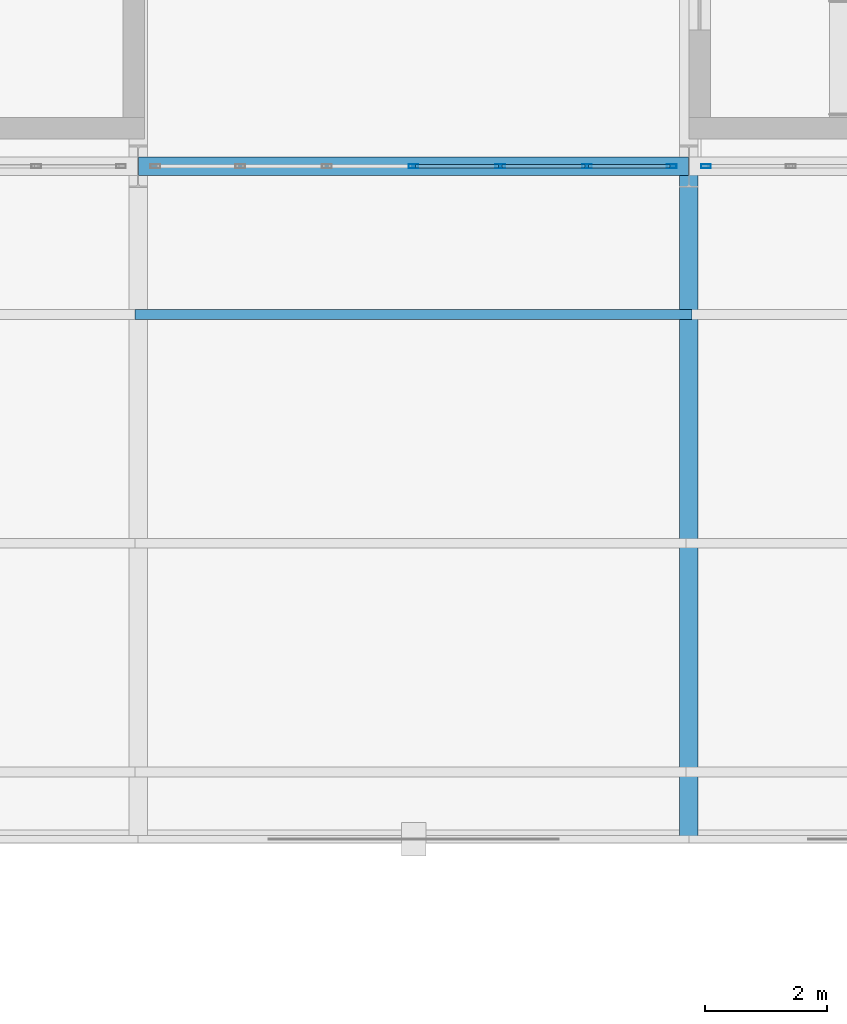
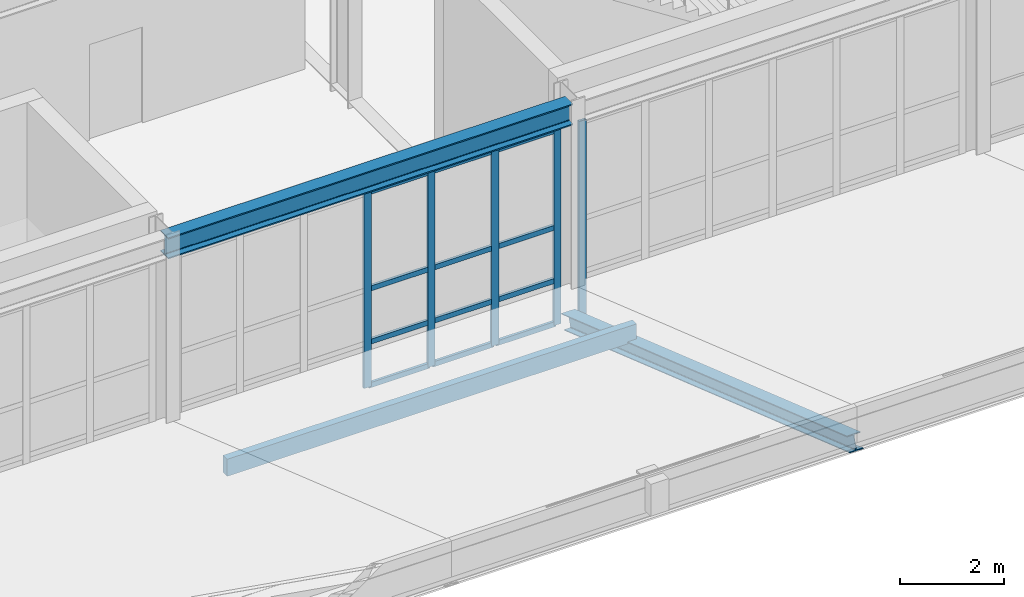
# One storey, part 57 of 239: 19 members, 1 beam, 2 elements without a shape of their own.
"""IFC4 building model written with IfcOpenShell, lengths in metres."""

import ifcopenshell
import ifcopenshell.guid

model = None  # the IFC model being written
_history = None  # IfcOwnerHistory: only IFC2X3 demands one
_inside = {}  # id of a spatial element -> (the spatial element, [elements in it])
_under = {}  # id of a project, library or spatial element -> (it, [spatial elements below it])
_declared = {}  # id of a project -> (the project, [libraries it declares])
_typed = {}  # id of a type object -> (the type object, [elements of that type])
_made_of = {}  # id of a material, layer set ... -> (it, [elements and type objects made of it])


def new_model(schema):
    """Start an empty IFC model of exactly this schema.

    Asked for "IFC4X3", IfcOpenShell would pick the latest addendum, in which some entities
    have other attributes; the version numbers below select the first issue.
    IFC2X3 requires an IfcOwnerHistory on every rooted entity: one is made here for all.
    """
    global model, _history
    if schema == "IFC4X3":
        model = ifcopenshell.file(schema_version=(4, 3, 0, 0))
    else:
        model = ifcopenshell.file(schema=schema)
    _inside.clear()
    _under.clear()
    _declared.clear()
    _typed.clear()
    _made_of.clear()
    _history = None
    if model.schema == "IFC2X3":
        org = make("IfcOrganization", Name="unknown")
        user = make(
            "IfcPersonAndOrganization",
            ThePerson=make("IfcPerson", FamilyName="unknown"),
            TheOrganization=org,
        )
        app = make(
            "IfcApplication",
            ApplicationDeveloper=org,
            Version="unknown",
            ApplicationFullName="unknown",
            ApplicationIdentifier="unknown",
        )
        _history = make(
            "IfcOwnerHistory",
            OwningUser=user,
            OwningApplication=app,
            ChangeAction="ADDED",
            CreationDate=0,
        )
    return model


def make(cls, **values):
    """One entity of the class cls with the attributes given. An attribute that is None is left unset."""
    return model.create_entity(
        cls, **{name: value for name, value in values.items() if value is not None}
    )


def rooted(cls, **values):
    """An entity with a GlobalId (a new one), such as an element, a storey or a relation."""
    return make(cls, GlobalId=ifcopenshell.guid.new(), OwnerHistory=_history, **values)


def si_unit(unit_type, name, prefix=None):
    """IfcSIUnit, for example si_unit("LENGTHUNIT", "METRE", prefix="MILLI")."""
    return make("IfcSIUnit", UnitType=unit_type, Prefix=prefix, Name=name)


def assignment(units):
    """IfcUnitAssignment: the units of a project."""
    return None if units is None else make("IfcUnitAssignment", Units=units)


def point(xyz):
    """IfcCartesianPoint."""
    return None if xyz is None else make("IfcCartesianPoint", Coordinates=xyz)


def direction(xyz):
    """IfcDirection."""
    return None if xyz is None else make("IfcDirection", DirectionRatios=xyz)


def frame(location, z_axis=None, x_axis=None):
    """IfcAxis2Placement3D, a coordinate frame: its origin and axes. An axis left out is left unset."""
    return make(
        "IfcAxis2Placement3D",
        Location=point(location),
        Axis=direction(z_axis),
        RefDirection=direction(x_axis),
    )


def frame_2d(location, x_axis=None):
    """IfcAxis2Placement2D, a coordinate frame in the plane: its origin and x axis."""
    return make(
        "IfcAxis2Placement2D", Location=point(location), RefDirection=direction(x_axis)
    )


def origin():
    """The frame at (0, 0, 0) with its axes left unset."""
    return frame((0.0, 0.0, 0.0))


def origin_2d():
    """The frame at (0, 0) in the plane with its x axis left unset."""
    return frame_2d((0.0, 0.0))


def place(relative_to, where):
    """IfcLocalPlacement: puts the frame where relative to a parent placement (None: the world)."""
    return make(
        "IfcLocalPlacement", PlacementRelTo=relative_to, RelativePlacement=where
    )


def context(
    kind, dimensions, precision=None, world=None, true_north=None, identifier=None
):
    """IfcGeometricRepresentationContext, for example the 3D "Model" context."""
    return make(
        "IfcGeometricRepresentationContext",
        ContextIdentifier=identifier,
        ContextType=kind,
        CoordinateSpaceDimension=dimensions,
        Precision=precision,
        WorldCoordinateSystem=world,
        TrueNorth=true_north,
    )


def subcontext(parent, identifier, kind, view, scale=None):
    """IfcGeometricRepresentationSubContext, for example "Body" below "Model"."""
    return make(
        "IfcGeometricRepresentationSubContext",
        ContextIdentifier=identifier,
        ContextType=kind,
        ParentContext=parent,
        TargetScale=scale,
        TargetView=view,
    )


def project(units=None, contexts=None):
    """IfcProject with its units and contexts."""
    return rooted(
        "IfcProject",
        Name="project",
        RepresentationContexts=contexts,
        UnitsInContext=assignment(units),
    )


def spatial(cls, under=None, at=None, **own):
    """A site, building, storey or space (cls), placed at a placement, below another one or the project."""
    s = rooted(cls, ObjectPlacement=at, **own)
    if under is not None:
        _under.setdefault(under.id(), (under, []))[1].append(s)
    return s


def profile(cls, at=None, kind="AREA", **sizes):
    """A parametric profile (cls). Its sizes go by their IFC names, for example OverallWidth=200.0."""
    return make(cls, ProfileType=kind, Position=at, **sizes)


def rectangle(**sizes):
    """IfcRectangleProfileDef."""
    return profile("IfcRectangleProfileDef", **sizes)


def hollow_rectangle(**sizes):
    """IfcRectangleHollowProfileDef."""
    return profile("IfcRectangleHollowProfileDef", **sizes)


def i_section(**sizes):
    """IfcIShapeProfileDef."""
    return profile("IfcIShapeProfileDef", **sizes)


def extrude(swept, where, along, depth):
    """IfcExtrudedAreaSolid: the profile swept, set in the frame where, extruded along a direction by depth."""
    return make(
        "IfcExtrudedAreaSolid",
        SweptArea=swept,
        Position=where,
        ExtrudedDirection=direction(along),
        Depth=depth,
    )


def shape(context_of_items, identifier, shape_type, items):
    """IfcShapeRepresentation: the items that make up one representation, for example the "Body"."""
    return make(
        "IfcShapeRepresentation",
        ContextOfItems=context_of_items,
        RepresentationIdentifier=identifier,
        RepresentationType=shape_type,
        Items=items,
    )


def material(Name=None, Category=None):
    """IfcMaterial."""
    return make("IfcMaterial", Name=Name, Category=Category)


def material_profile(
    of_material, cross_section, Name=None, Category=None, Priority=None
):
    """IfcMaterialProfile: a cross section and its material."""
    return make(
        "IfcMaterialProfile",
        Name=Name,
        Material=of_material,
        Profile=cross_section,
        Priority=Priority,
        Category=Category,
    )


def profile_set(profiles, Name=None, composite=None):
    """IfcMaterialProfileSet."""
    return make(
        "IfcMaterialProfileSet",
        Name=Name,
        MaterialProfiles=profiles,
        CompositeProfile=composite,
    )


def made_of(thing, what):
    """Note that an element or type object is made of a material, layer set ...; save() writes the relation."""
    if what is not None:
        _made_of.setdefault(what.id(), (what, []))[1].append(thing)
    return thing


def type_object(cls, material=None, **own):
    """A type object (cls), such as IfcWallType, which elements share."""
    return made_of(rooted(cls, **own), material)


def element(
    cls,
    number,
    at=None,
    inside=None,
    cuts=None,
    type_object=None,
    material=None,
    context=None,
    identifier="Body",
    shape_type=None,
    held_by="IfcProductDefinitionShape",
    body=None,
    shapes=None,
    **own,
):
    """One element of the class cls, such as IfcWall. Its Tag is "e" and its number.

    at: its placement. inside: the storey or other place that contains it. cuts: it is an
    opening in that element (IfcRelVoidsElement). A single representation is given by context,
    identifier, shape_type and body (its items); several are given by shapes. held_by: the class
    of the entity that holds the representations. save() writes the other relations.
    """
    e = rooted(cls, Tag="e%d" % number, ObjectPlacement=at, **own)
    if body is not None:
        shapes = [shape(context, identifier, shape_type, body)]
    if shapes is not None:
        e.Representation = make(held_by, Representations=shapes)
    if inside is not None:
        _inside.setdefault(inside.id(), (inside, []))[1].append(e)
    if cuts is not None:
        rooted(
            "IfcRelVoidsElement", RelatingBuildingElement=cuts, RelatedOpeningElement=e
        )
    if type_object is not None:
        _typed.setdefault(type_object.id(), (type_object, []))[1].append(e)
    return made_of(e, material)


def aggregate(whole, parts):
    """IfcRelAggregates: a whole, such as a stair, and the parts it consists of."""
    return rooted("IfcRelAggregates", RelatingObject=whole, RelatedObjects=parts)


def save(model, path):
    """Write the relations noted so far, then the file.

    IfcRelAggregates (storeys below a building ...), IfcRelContainedInSpatialStructure (elements
    in a storey), IfcRelDefinesByType, IfcRelAssociatesMaterial and IfcRelDeclares: one each for
    every whole, place, type object, material and project.
    """
    for whole, parts in _under.values():
        aggregate(whole, parts)
    for where, things in _inside.values():
        rooted(
            "IfcRelContainedInSpatialStructure",
            RelatedElements=things,
            RelatingStructure=where,
        )
    for kind, things in _typed.values():
        rooted("IfcRelDefinesByType", RelatedObjects=things, RelatingType=kind)
    for what, things in _made_of.values():
        rooted("IfcRelAssociatesMaterial", RelatedObjects=things, RelatingMaterial=what)
    for by, libraries in _declared.values():
        rooted("IfcRelDeclares", RelatingContext=by, RelatedDefinitions=libraries)
    model.write(path)


model = new_model("IFC4")

# Units and contexts
model_context = context("Model", 3, precision=1e-05, world=origin(), true_north=direction((0.0, 1.0)))
body_context = subcontext(model_context, "Body", "Model", "MODEL_VIEW")
ifc_project = project(units=[si_unit("LENGTHUNIT", "METRE"), si_unit("AREAUNIT", "SQUARE_METRE"), si_unit("VOLUMEUNIT", "CUBIC_METRE"), si_unit("PLANEANGLEUNIT", "RADIAN"), si_unit("MASSUNIT", "GRAM", prefix="KILO")], contexts=[model_context])

# Site, building, storey
site_placement = place(None, origin())
site = spatial("IfcSite", under=ifc_project, at=site_placement, CompositionType="ELEMENT")
building_placement = place(site_placement, origin())
building = spatial("IfcBuilding", under=site, at=building_placement, Name="Kaldris Quays Convention Centre", CompositionType="ELEMENT")
storey_placement = place(building_placement, frame((0.0, 0.0, 11.39990234375)))
storey = spatial("IfcBuildingStorey", under=building, at=storey_placement, Name="L02", CompositionType="ELEMENT", Elevation=11.39990234375)

# Curtain wall, members
ifc_material_1 = material(Name="Anodized aluminium AW-6060 and triple glazing", Category="aluminium")
curtain_wall_type = type_object("IfcCurtainWallType", Name="UNITISED CURTAIN WALL CW04", PredefinedType="NOTDEFINED", material=ifc_material_1)
curtain_wall_1_placement = place(storey_placement, origin())
curtain_wall_1 = element("IfcCurtainWall", 1, at=curtain_wall_1_placement, inside=storey, type_object=curtain_wall_type, Name="L02 Unitised Curtain Wall CW04 118", PredefinedType="NOTDEFINED")
ifc_material_2 = material(Name="Anodized aluminium AW-6060", Category="aluminium")
ifc_material_profile_1 = material_profile(ifc_material_2, hollow_rectangle(XDim=0.06005859375, YDim=0.159912109375, WallThickness=0.00390625, at=origin_2d()), Name="RHS 160x60x4")
ifc_profile_set_1 = profile_set([ifc_material_profile_1], Name="Anodized aluminium AW-6060")
member_type_1 = type_object("IfcMemberType", Name="CURTAIN MULLION CWM1", PredefinedType="MULLION", material=ifc_profile_set_1)
member_1_placement = place(storey_placement, frame((123.5, 38.0, 0.0), z_axis=(0.0, 0.0, 1.0), x_axis=(0.0, 1.0, 0.0)))
member_1 = element("IfcMember", 2, at=member_1_placement, type_object=member_type_1, Name="CW04 mullion 4", PredefinedType="MULLION", context=body_context, shape_type="SweptSolid", body=[
    extrude(hollow_rectangle(XDim=0.06005859375, YDim=0.159912109375, WallThickness=0.00390625, at=origin_2d()), origin(), (0.0, 0.0, 1.0), 4.60009765625),
])
member_2_placement = place(storey_placement, frame((124.916748046875, 38.0, 0.0), z_axis=(0.0, 0.0, 1.0), x_axis=(0.0, 1.0, 0.0)))
member_2 = element("IfcMember", 3, at=member_2_placement, type_object=member_type_1, Name="CW04 mullion 5", PredefinedType="MULLION", context=body_context, shape_type="SweptSolid", body=[
    extrude(hollow_rectangle(XDim=0.06005859375, YDim=0.159912109375, WallThickness=0.00390625, at=origin_2d()), origin(), (0.0, 0.0, 1.0), 4.60009765625),
])
member_3_placement = place(storey_placement, frame((126.333251953125, 38.0, 0.0), z_axis=(0.0, 0.0, 1.0), x_axis=(0.0, 1.0, 0.0)))
member_3 = element("IfcMember", 4, at=member_3_placement, type_object=member_type_1, Name="CW04 mullion 6", PredefinedType="MULLION", context=body_context, shape_type="SweptSolid", body=[
    extrude(hollow_rectangle(XDim=0.06005859375, YDim=0.159912109375, WallThickness=0.00390625, at=origin_2d()), origin(), (0.0, 0.0, 1.0), 4.60009765625),
])
member_4_placement = place(storey_placement, frame((127.719970703125, 38.0, 0.0), z_axis=(0.0, 0.0, 1.0), x_axis=(0.0, 1.0, 0.0)))
member_4 = element("IfcMember", 5, at=member_4_placement, type_object=member_type_1, Name="CW04 mullion 7", PredefinedType="MULLION", context=body_context, shape_type="SweptSolid", body=[
    extrude(hollow_rectangle(XDim=0.06005859375, YDim=0.159912109375, WallThickness=0.00390625, at=origin_2d()), origin(), (0.0, 0.0, 1.0), 4.60009765625),
])

# Curtain wall, member
curtain_wall_2_placement = place(storey_placement, origin())
curtain_wall_2 = element("IfcCurtainWall", 6, at=curtain_wall_2_placement, inside=storey, type_object=curtain_wall_type, Name="L02 Unitised Curtain Wall CW04 119", PredefinedType="NOTDEFINED")
member_5_placement = place(storey_placement, frame((128.280029296875, 38.0, 0.0), z_axis=(0.0, 0.0, 1.0), x_axis=(0.0, 1.0, 0.0)))
member_5 = element("IfcMember", 7, at=member_5_placement, type_object=member_type_1, Name="CW04 mullion 1", PredefinedType="MULLION", context=body_context, shape_type="SweptSolid", body=[
    extrude(hollow_rectangle(XDim=0.06005859375, YDim=0.159912109375, WallThickness=0.00390625, at=origin_2d()), origin(), (0.0, 0.0, 1.0), 4.60009765625),
])
aggregate(curtain_wall_2, [member_5])

# Member
ifc_material_profile_2 = material_profile(ifc_material_2, hollow_rectangle(XDim=0.06005859375, YDim=0.1201171875, WallThickness=0.00390625, at=origin_2d()), Name="RHS 120x60x4")
ifc_profile_set_2 = profile_set([ifc_material_profile_2], Name="Anodized aluminium AW-6060")
member_type_2 = type_object("IfcMemberType", Name="CURTAIN TRANSOM CWT1", PredefinedType="USERDEFINED", material=ifc_profile_set_2)
member_6_placement = place(storey_placement, frame((123.530029296875, 38.0, 0.030029296875), z_axis=(1.0, 0.0, 0.0), x_axis=(0.0, 1.0, 0.0)))
member_6 = element("IfcMember", 8, at=member_6_placement, type_object=member_type_2, Name="CW04 transom 4.1", ObjectType="TRANSOM", PredefinedType="USERDEFINED", context=body_context, shape_type="SweptSolid", body=[
    extrude(hollow_rectangle(XDim=0.06005859375, YDim=0.1201171875, WallThickness=0.00390625, at=origin_2d()), origin(), (0.0, 0.0, 1.0), 1.356689453125),
])

member_7_placement = place(storey_placement, frame((123.530029296875, 38.0, 1.050048828125), z_axis=(1.0, 0.0, 0.0), x_axis=(0.0, 1.0, 0.0)))
member_7 = element("IfcMember", 9, at=member_7_placement, type_object=member_type_2, Name="CW04 transom 4.2", ObjectType="TRANSOM", PredefinedType="USERDEFINED", context=body_context, shape_type="SweptSolid", body=[
    extrude(hollow_rectangle(XDim=0.06005859375, YDim=0.1201171875, WallThickness=0.00390625, at=origin_2d()), origin(), (0.0, 0.0, 1.0), 1.356689453125),
])

member_8_placement = place(storey_placement, frame((123.530029296875, 38.0, 2.300048828125), z_axis=(1.0, 0.0, 0.0), x_axis=(0.0, 1.0, 0.0)))
member_8 = element("IfcMember", 10, at=member_8_placement, type_object=member_type_2, Name="CW04 transom 4.3", ObjectType="TRANSOM", PredefinedType="USERDEFINED", context=body_context, shape_type="SweptSolid", body=[
    extrude(hollow_rectangle(XDim=0.06005859375, YDim=0.1201171875, WallThickness=0.00390625, at=origin_2d()), origin(), (0.0, 0.0, 1.0), 1.356689453125),
])

member_9_placement = place(storey_placement, frame((123.530029296875, 38.0, 4.570068359375), z_axis=(1.0, 0.0, 0.0), x_axis=(0.0, 1.0, 0.0)))
member_9 = element("IfcMember", 11, at=member_9_placement, type_object=member_type_2, Name="CW04 transom 4.4", ObjectType="TRANSOM", PredefinedType="USERDEFINED", context=body_context, shape_type="SweptSolid", body=[
    extrude(hollow_rectangle(XDim=0.06005859375, YDim=0.1201171875, WallThickness=0.00390625, at=origin_2d()), origin(), (0.0, 0.0, 1.0), 1.356689453125),
])

member_10_placement = place(storey_placement, frame((124.94677734375, 38.0, 0.030029296875), z_axis=(1.0, 0.0, 0.0), x_axis=(0.0, 1.0, 0.0)))
member_10 = element("IfcMember", 12, at=member_10_placement, type_object=member_type_2, Name="CW04 transom 5.1", ObjectType="TRANSOM", PredefinedType="USERDEFINED", context=body_context, shape_type="SweptSolid", body=[
    extrude(hollow_rectangle(XDim=0.06005859375, YDim=0.1201171875, WallThickness=0.00390625, at=origin_2d()), origin(), (0.0, 0.0, 1.0), 1.3564453125),
])

member_11_placement = place(storey_placement, frame((124.94677734375, 38.0, 1.050048828125), z_axis=(1.0, 0.0, 0.0), x_axis=(0.0, 1.0, 0.0)))
member_11 = element("IfcMember", 13, at=member_11_placement, type_object=member_type_2, Name="CW04 transom 5.2", ObjectType="TRANSOM", PredefinedType="USERDEFINED", context=body_context, shape_type="SweptSolid", body=[
    extrude(hollow_rectangle(XDim=0.06005859375, YDim=0.1201171875, WallThickness=0.00390625, at=origin_2d()), origin(), (0.0, 0.0, 1.0), 1.3564453125),
])

member_12_placement = place(storey_placement, frame((124.94677734375, 38.0, 2.300048828125), z_axis=(1.0, 0.0, 0.0), x_axis=(0.0, 1.0, 0.0)))
member_12 = element("IfcMember", 14, at=member_12_placement, type_object=member_type_2, Name="CW04 transom 5.3", ObjectType="TRANSOM", PredefinedType="USERDEFINED", context=body_context, shape_type="SweptSolid", body=[
    extrude(hollow_rectangle(XDim=0.06005859375, YDim=0.1201171875, WallThickness=0.00390625, at=origin_2d()), origin(), (0.0, 0.0, 1.0), 1.3564453125),
])

member_13_placement = place(storey_placement, frame((124.94677734375, 38.0, 4.570068359375), z_axis=(1.0, 0.0, 0.0), x_axis=(0.0, 1.0, 0.0)))
member_13 = element("IfcMember", 15, at=member_13_placement, type_object=member_type_2, Name="CW04 transom 5.4", ObjectType="TRANSOM", PredefinedType="USERDEFINED", context=body_context, shape_type="SweptSolid", body=[
    extrude(hollow_rectangle(XDim=0.06005859375, YDim=0.1201171875, WallThickness=0.00390625, at=origin_2d()), origin(), (0.0, 0.0, 1.0), 1.3564453125),
])

member_14_placement = place(storey_placement, frame((126.36328125, 38.0, 0.030029296875), z_axis=(1.0, 0.0, 0.0), x_axis=(0.0, 1.0, 0.0)))
member_14 = element("IfcMember", 16, at=member_14_placement, type_object=member_type_2, Name="CW04 transom 6.1", ObjectType="TRANSOM", PredefinedType="USERDEFINED", context=body_context, shape_type="SweptSolid", body=[
    extrude(hollow_rectangle(XDim=0.06005859375, YDim=0.1201171875, WallThickness=0.00390625, at=origin_2d()), origin(), (0.0, 0.0, 1.0), 1.32666015625),
])

member_15_placement = place(storey_placement, frame((126.36328125, 38.0, 1.050048828125), z_axis=(1.0, 0.0, 0.0), x_axis=(0.0, 1.0, 0.0)))
member_15 = element("IfcMember", 17, at=member_15_placement, type_object=member_type_2, Name="CW04 transom 6.2", ObjectType="TRANSOM", PredefinedType="USERDEFINED", context=body_context, shape_type="SweptSolid", body=[
    extrude(hollow_rectangle(XDim=0.06005859375, YDim=0.1201171875, WallThickness=0.00390625, at=origin_2d()), origin(), (0.0, 0.0, 1.0), 1.32666015625),
])

member_16_placement = place(storey_placement, frame((126.36328125, 38.0, 2.300048828125), z_axis=(1.0, 0.0, 0.0), x_axis=(0.0, 1.0, 0.0)))
member_16 = element("IfcMember", 18, at=member_16_placement, type_object=member_type_2, Name="CW04 transom 6.3", ObjectType="TRANSOM", PredefinedType="USERDEFINED", context=body_context, shape_type="SweptSolid", body=[
    extrude(hollow_rectangle(XDim=0.06005859375, YDim=0.1201171875, WallThickness=0.00390625, at=origin_2d()), origin(), (0.0, 0.0, 1.0), 1.32666015625),
])

member_17_placement = place(storey_placement, frame((126.36328125, 38.0, 4.570068359375), z_axis=(1.0, 0.0, 0.0), x_axis=(0.0, 1.0, 0.0)))
member_17 = element("IfcMember", 19, at=member_17_placement, type_object=member_type_2, Name="CW04 transom 6.4", ObjectType="TRANSOM", PredefinedType="USERDEFINED", context=body_context, shape_type="SweptSolid", body=[
    extrude(hollow_rectangle(XDim=0.06005859375, YDim=0.1201171875, WallThickness=0.00390625, at=origin_2d()), origin(), (0.0, 0.0, 1.0), 1.32666015625),
])

aggregate(curtain_wall_1, [member_1, member_2, member_3, member_4, member_6, member_7, member_8, member_9, member_10, member_11, member_12, member_13, member_14, member_15, member_16, member_17])

# Beam
ifc_material_3 = material(Name="Steel S355J2", Category="steel")
ifc_material_profile_3 = material_profile(ifc_material_3, i_section(OverallWidth=0.300048828125, OverallDepth=0.5, WebThickness=0.014404296875, FlangeThickness=0.028076171875, FilletRadius=0.027099609375, at=origin_2d()), Name="HEB 500")
ifc_profile_set_3 = profile_set([ifc_material_profile_3], Name="Steel S355J2")
beam_type = type_object("IfcBeamType", Name="STRUCTURAL BEAM BM06", PredefinedType="BEAM", material=ifc_profile_set_3)
beam_placement = place(storey_placement, frame((119.00244140625, 38.0, 4.9130859375), z_axis=(1.0, 0.0, 0.0), x_axis=(0.0, 1.0, 0.0)))
element("IfcBeam", 20, at=beam_placement, inside=storey, type_object=beam_type, Name="L02 Girder BM06 5", PredefinedType="BEAM", context=body_context, shape_type="SweptSolid", body=[
    extrude(i_section(OverallWidth=0.300048828125, OverallDepth=0.5, WebThickness=0.014404296875, FlangeThickness=0.028076171875, FilletRadius=0.027099609375, at=origin_2d()), origin(), (0.0, 0.0, 1.0), 8.9951171875),
])

# Members
ifc_material_4 = material(Name="Glulam GL28h", Category="wood")
ifc_material_profile_4 = material_profile(ifc_material_4, rectangle(XDim=0.159912109375, YDim=0.39990234375, at=origin_2d()), Name="GL 160x400")
ifc_profile_set_4 = profile_set([ifc_material_profile_4], Name="Glulam GL28h")
member_type_3 = type_object("IfcMemberType", Name="STRUCTURAL MEMBER PR01", PredefinedType="PURLIN", material=ifc_profile_set_4)
member_18_placement = place(storey_placement, frame((118.949951171875, 35.580078125, 1.201171875), z_axis=(1.0, 0.0, 0.0), x_axis=(0.0, 1.0, 0.0)))
element("IfcMember", 21, at=member_18_placement, inside=storey, type_object=member_type_3, Name="WR-SOUTH-ENTRY Glulam Wing Purlin 5", PredefinedType="PURLIN", context=body_context, shape_type="SweptSolid", body=[
    extrude(rectangle(XDim=0.159912109375, YDim=0.39990234375, at=origin_2d()), origin(), (0.0, 0.0, 1.0), 9.10009765625),
])
ifc_material_profile_5 = material_profile(ifc_material_3, i_section(OverallWidth=0.300048828125, OverallDepth=0.35009765625, WebThickness=0.010009765625, FlangeThickness=0.017578125, FilletRadius=0.027099609375, at=origin_2d()), Name="HEA 360")
ifc_profile_set_5 = profile_set([ifc_material_profile_5], Name="Steel S355J2")
member_type_4 = type_object("IfcMemberType", Name="STRUCTURAL MEMBER WRF1", PredefinedType="RAFTER", material=ifc_profile_set_5)
member_19_placement = place(storey_placement, frame((128.0, 38.0, -0.000244140625), z_axis=(0.0, -0.945518736739, 0.325567686474), x_axis=(1.0, 0.0, 0.0)))
element("IfcMember", 22, at=member_19_placement, inside=storey, type_object=member_type_4, Name="WR-SOUTH-ENTRY Wing Cantilever Rafter 6", PredefinedType="RAFTER", context=body_context, shape_type="SweptSolid", body=[
    extrude(i_section(OverallWidth=0.300048828125, OverallDepth=0.35009765625, WebThickness=0.010009765625, FlangeThickness=0.017578125, FilletRadius=0.027099609375, at=origin_2d()), origin(), (0.0, 0.0, 1.0), 11.6337890625),
])

save(model, "model.ifc")
